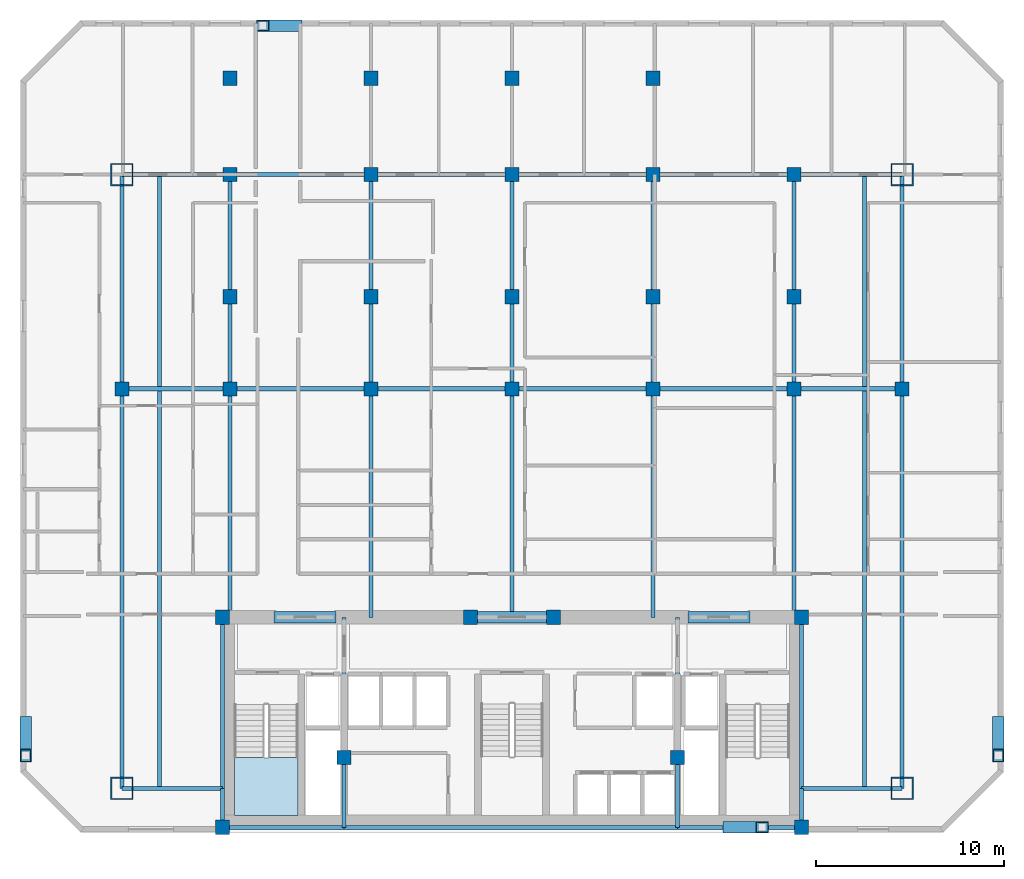
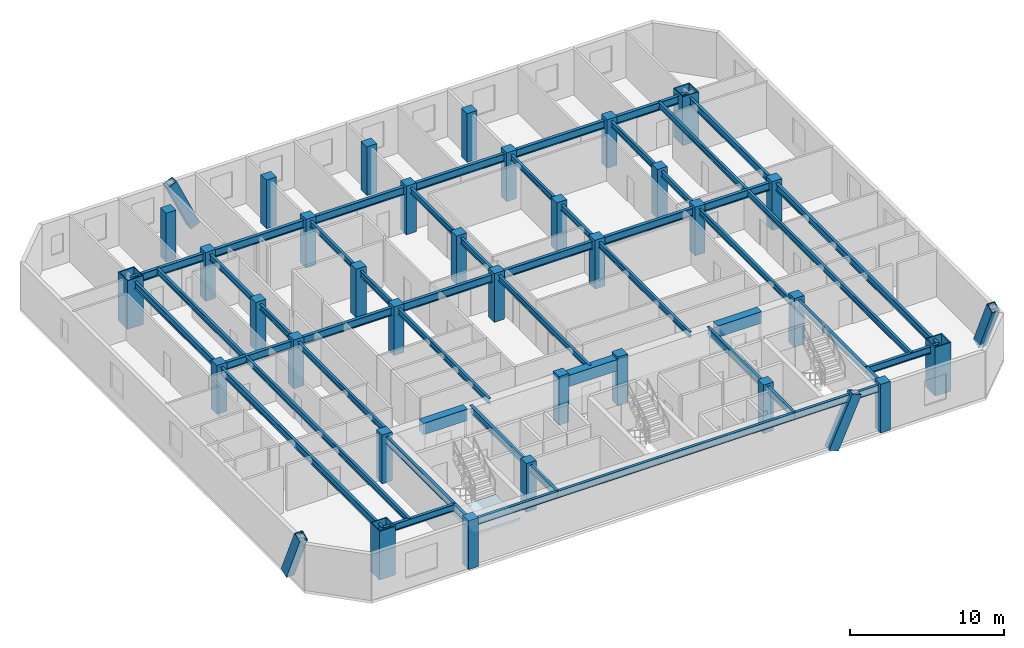
# One storey, part 1 of 8: 46 beams, 33 columns, 4 members, 1 slab, 1 element without a shape of its own.
"""IFC4 building model written with IfcOpenShell, lengths in metres."""

from ifc_helpers import new_model, si_unit, direction, frame, origin, origin_2d, place, context, subcontext, project, spatial, polyline, rectangle, hollow_rectangle, i_section, outline, extrude, material, layer, layer_set, material_profile, profile_set, type_object, element, aggregate, save


model = new_model("IFC4")

# Units and contexts
model_context = context("Model", 3, precision=1e-05, world=origin(), true_north=direction((0.0, 1.0)))
body_context = subcontext(model_context, "Body", "Model", "MODEL_VIEW")
ifc_project = project(units=[si_unit("LENGTHUNIT", "METRE"), si_unit("AREAUNIT", "SQUARE_METRE"), si_unit("VOLUMEUNIT", "CUBIC_METRE"), si_unit("PLANEANGLEUNIT", "RADIAN"), si_unit("MASSUNIT", "GRAM", prefix="KILO")], contexts=[model_context])

# Site, building, storey
site_placement = place(None, origin())
site = spatial("IfcSite", under=ifc_project, at=site_placement, CompositionType="ELEMENT")
building_placement = place(site_placement, origin())
building = spatial("IfcBuilding", under=site, at=building_placement, Name="Ventersveld Concourse Tower", CompositionType="ELEMENT")
storey_placement = place(building_placement, frame((0.0, 0.0, 149.050048828125)))
storey = spatial("IfcBuildingStorey", under=building, at=storey_placement, Name="L36", CompositionType="ELEMENT", Elevation=149.050048828125)

# Columns
ifc_material_1 = material(Name="Concrete C50/60", Category="concrete")
ifc_material_profile_1 = material_profile(ifc_material_1, rectangle(XDim=0.75, YDim=0.75, at=origin_2d()), Name="RC 750x750")
ifc_profile_set_1 = profile_set([ifc_material_profile_1], Name="Concrete C50/60")
column_type_1 = type_object("IfcColumnType", Name="COL-RC750", PredefinedType="COLUMN", material=ifc_profile_set_1)
for number, where, z_axis, x_axis, name in (
    (1, (13.35009765625, 0.280029296875, 0.0), (0.0, 0.0, 1.0), (1.0, 0.0, 0.0), "L36 Core Spine Column CC-SW"),
    (2, (44.14990234375, 0.280029296875, 0.0), (0.0, 0.0, 1.0), (1.0, 0.0, 0.0), "L36 Core Spine Column CC-SE"),
    (3, (13.35009765625, 11.449951171875, 0.0), (0.0, 0.0, 1.0), (1.0, 0.0, 0.0), "L36 Core Spine Column CC-NW"),
    (4, (44.14990234375, 11.449951171875, 0.0), (0.0, 0.0, 1.0), (1.0, 0.0, 0.0), "L36 Core Spine Column CC-NE"),
    (5, (19.820068359375, 4.0, 0.0), (0.0, 0.0, 1.0), (1.0, 0.0, 0.0), "L36 Core Spine Column CM-1"),
    (6, (37.550048828125, 4.0, 0.0), (0.0, 0.0, 1.0), (1.0, 0.0, 0.0), "L36 Core Spine Column CM-2"),
    (7, (26.550048828125, 11.449951171875, 0.0), (0.0, 0.0, 1.0), (1.0, 0.0, 0.0), "L36 Core Spine Column CM-3"),
    (8, (30.949951171875, 11.449951171875, 0.0), (0.0, 0.0, 1.0), (1.0, 0.0, 0.0), "L36 Core Spine Column CM-4"),
    (9, (8.0, 23.60009765625, 0.0), (0.0, 0.0, 1.0), (1.0, 0.0, 0.0), "L36 Interior Gravity Column X=8.00 Y=23.60"),
    (10, (13.75, 23.60009765625, 0.0), (0.0, 0.0, 1.0), (1.0, 0.0, 0.0), "L36 Interior Gravity Column X=13.75 Y=23.60"),
    (11, (21.25, 23.60009765625, 0.0), (0.0, 0.0, 1.0), (1.0, 0.0, 0.0), "L36 Interior Gravity Column X=21.25 Y=23.60"),
    (12, (28.75, 23.60009765625, 0.0), (0.0, 0.0, 1.0), (1.0, 0.0, 0.0), "L36 Interior Gravity Column X=28.75 Y=23.60"),
    (13, (36.25, 23.60009765625, 0.0), (0.0, 0.0, 1.0), (1.0, 0.0, 0.0), "L36 Interior Gravity Column X=36.25 Y=23.60"),
    (14, (43.75, 23.60009765625, 0.0), (0.0, 0.0, 1.0), (1.0, 0.0, 0.0), "L36 Interior Gravity Column X=43.75 Y=23.60"),
    (15, (49.5, 23.60009765625, 0.0), (0.0, 0.0, 1.0), (1.0, 0.0, 0.0), "L36 Interior Gravity Column X=49.50 Y=23.60"),
    (16, (13.75, 28.5, 0.0), (0.0, 0.0, 1.0), (1.0, 0.0, 0.0), "L36 Upper-North Gravity Column X=13.75 Y=28.50"),
    (17, (21.25, 28.5, 0.0), (0.0, 0.0, 1.0), (1.0, 0.0, 0.0), "L36 Upper-North Gravity Column X=21.25 Y=28.50"),
    (18, (28.75, 28.5, 0.0), (0.0, 0.0, 1.0), (1.0, 0.0, 0.0), "L36 Upper-North Gravity Column X=28.75 Y=28.50"),
    (19, (36.25, 28.5, 0.0), (0.0, 0.0, 1.0), (1.0, 0.0, 0.0), "L36 Upper-North Gravity Column X=36.25 Y=28.50"),
    (20, (43.75, 28.5, 0.0), (0.0, 0.0, 1.0), (1.0, 0.0, 0.0), "L36 Upper-North Gravity Column X=43.75 Y=28.50"),
    (21, (13.75, 40.1201171875, 0.0), (0.0, 0.0, 1.0), (1.0, 0.0, 0.0), "L36 North Brace Node Column X=13.75 Y=40.12"),
    (22, (21.25, 40.1201171875, 0.0), (0.0, 0.0, 1.0), (1.0, 0.0, 0.0), "L36 North Brace Node Column X=21.25 Y=40.12"),
    (23, (28.75, 40.1201171875, 0.0), (0.0, 0.0, 1.0), (1.0, 0.0, 0.0), "L36 North Brace Node Column X=28.75 Y=40.12"),
    (24, (36.25, 40.1201171875, 0.0), (0.0, 0.0, 1.0), (1.0, 0.0, 0.0), "L36 North Brace Node Column X=36.25 Y=40.12"),
    (25, (13.75, 35.0, 0.0), (0.0, 0.0, 1.0), (1.0, 0.0, 0.0), "L36 Mid-North Column X=13.75 Y=35.00"),
    (26, (21.25, 35.0, 0.0), (0.0, 0.0, 1.0), (1.0, 0.0, 0.0), "L36 Mid-North Column X=21.25 Y=35.00"),
    (27, (28.75, 35.0, 0.0), (0.0, 0.0, 1.0), (1.0, 0.0, 0.0), "L36 Mid-North Column X=28.75 Y=35.00"),
    (28, (36.25, 35.0, 0.0), (0.0, 0.0, 1.0), (1.0, 0.0, 0.0), "L36 Mid-North Column X=36.25 Y=35.00"),
    (29, (43.75, 35.0, 0.0), (0.0, 0.0, 1.0), (1.0, 0.0, 0.0), "L36 Mid-North Column X=43.75 Y=35.00"),
):
    element("IfcColumn", number, at=place(storey_placement, frame(where, z_axis=z_axis, x_axis=x_axis)), inside=storey, type_object=column_type_1, Name=name, PredefinedType="COLUMN", context=body_context, shape_type="SweptSolid", body=[
        extrude(rectangle(XDim=0.75, YDim=0.75, at=origin_2d()), origin(), (0.0, 0.0, 1.0), 3.849853515625),
    ])
ifc_material_2 = material(Name="Structural steel S460ML", Category="steel")
ifc_material_profile_2 = material_profile(ifc_material_2, hollow_rectangle(XDim=1.199951171875, YDim=1.199951171875, WallThickness=0.070068359375, at=origin_2d()), Name="BOX 1200x1200x70")
ifc_profile_set_2 = profile_set([ifc_material_profile_2], Name="Structural steel S460ML")
column_type_2 = type_object("IfcColumnType", Name="MC-1200", PredefinedType="USERDEFINED", material=ifc_profile_set_2)
for number, where, z_axis, x_axis, name in (
    (30, (8.0, 2.35009765625, 0.0), (0.0, 0.0, 1.0), (1.0, 0.0, 0.0), "L36 Corner Mega-Column MC-SW"),
    (31, (49.5, 2.35009765625, 0.0), (0.0, 0.0, 1.0), (1.0, 0.0, 0.0), "L36 Corner Mega-Column MC-SE"),
    (32, (49.5, 35.0, 0.0), (0.0, 0.0, 1.0), (1.0, 0.0, 0.0), "L36 Corner Mega-Column MC-NE"),
    (33, (8.0, 35.0, 0.0), (0.0, 0.0, 1.0), (1.0, 0.0, 0.0), "L36 Corner Mega-Column MC-NW"),
):
    element("IfcColumn", number, at=place(storey_placement, frame(where, z_axis=z_axis, x_axis=x_axis)), inside=storey, type_object=column_type_2, Name=name, ObjectType="MEGA_COLUMN", PredefinedType="USERDEFINED", context=body_context, shape_type="SweptSolid", body=[
        extrude(hollow_rectangle(XDim=1.199951171875, YDim=1.199951171875, WallThickness=0.070068359375, at=origin_2d()), origin(), (0.0, 0.0, 1.0), 3.849853515625),
    ])

# Beams
ifc_material_3 = material(Name="Structural steel S355J2", Category="steel")
ifc_material_profile_3 = material_profile(ifc_material_3, i_section(OverallWidth=0.18994140625, OverallDepth=0.453369140625, WebThickness=0.008544921875, FlangeThickness=0.0126953125, FilletRadius=0.01025390625, at=origin_2d()), Name="UB 457x191x67")
ifc_profile_set_3 = profile_set([ifc_material_profile_3], Name="Structural steel S355J2")
beam_type_1 = type_object("IfcBeamType", Name="BM-UB457", PredefinedType="BEAM", material=ifc_profile_set_3)
beam_1_placement = place(storey_placement, frame((10.0, 2.35009765625, 3.4033203125), z_axis=(0.0, 1.0, 0.0), x_axis=(-1.0, 0.0, 0.0)))
element("IfcBeam", 34, at=beam_1_placement, inside=storey, type_object=beam_type_1, Name="L36 N-S Composite Floor Beam South X=10.00", PredefinedType="BEAM", context=body_context, shape_type="SweptSolid", body=[
    extrude(i_section(OverallWidth=0.18994140625, OverallDepth=0.453369140625, WebThickness=0.008544921875, FlangeThickness=0.0126953125, FilletRadius=0.01025390625, at=origin_2d()), origin(), (0.0, 0.0, 1.0), 21.15478515625),
])
beam_2_placement = place(storey_placement, frame((10.0, 23.695068359375, 3.4033203125), z_axis=(0.0, 1.0, 0.0), x_axis=(-1.0, 0.0, 0.0)))
element("IfcBeam", 35, at=beam_2_placement, inside=storey, type_object=beam_type_1, Name="L36 N-S Composite Floor Beam Mid X=10.00", PredefinedType="BEAM", context=body_context, shape_type="SweptSolid", body=[
    extrude(i_section(OverallWidth=0.18994140625, OverallDepth=0.453369140625, WebThickness=0.008544921875, FlangeThickness=0.0126953125, FilletRadius=0.01025390625, at=origin_2d()), origin(), (0.0, 0.0, 1.0), 11.304931640625),
])
beam_3_placement = place(storey_placement, frame((13.75, 11.449951171875, 3.4033203125), z_axis=(0.0, 1.0, 0.0), x_axis=(-1.0, 0.0, 0.0)))
element("IfcBeam", 36, at=beam_3_placement, inside=storey, type_object=beam_type_1, Name="L36 N-S Composite Floor Beam South X=13.75", PredefinedType="BEAM", context=body_context, shape_type="SweptSolid", body=[
    extrude(i_section(OverallWidth=0.18994140625, OverallDepth=0.453369140625, WebThickness=0.008544921875, FlangeThickness=0.0126953125, FilletRadius=0.01025390625, at=origin_2d()), origin(), (0.0, 0.0, 1.0), 12.150146484375),
])
beam_4_placement = place(storey_placement, frame((13.75, 23.60009765625, 3.4033203125), z_axis=(0.0, 1.0, 0.0), x_axis=(-1.0, 0.0, 0.0)))
element("IfcBeam", 37, at=beam_4_placement, inside=storey, type_object=beam_type_1, Name="L36 N-S Composite Floor Beam Mid X=13.75", PredefinedType="BEAM", context=body_context, shape_type="SweptSolid", body=[
    extrude(i_section(OverallWidth=0.18994140625, OverallDepth=0.453369140625, WebThickness=0.008544921875, FlangeThickness=0.0126953125, FilletRadius=0.01025390625, at=origin_2d()), origin(), (0.0, 0.0, 1.0), 11.39990234375),
])
beam_5_placement = place(storey_placement, frame((21.25, 11.449951171875, 3.4033203125), z_axis=(0.0, 1.0, 0.0), x_axis=(-1.0, 0.0, 0.0)))
element("IfcBeam", 38, at=beam_5_placement, inside=storey, type_object=beam_type_1, Name="L36 N-S Composite Floor Beam South X=21.25", PredefinedType="BEAM", context=body_context, shape_type="SweptSolid", body=[
    extrude(i_section(OverallWidth=0.18994140625, OverallDepth=0.453369140625, WebThickness=0.008544921875, FlangeThickness=0.0126953125, FilletRadius=0.01025390625, at=origin_2d()), origin(), (0.0, 0.0, 1.0), 12.150146484375),
])
beam_6_placement = place(storey_placement, frame((21.25, 23.60009765625, 3.4033203125), z_axis=(0.0, 1.0, 0.0), x_axis=(-1.0, 0.0, 0.0)))
element("IfcBeam", 39, at=beam_6_placement, inside=storey, type_object=beam_type_1, Name="L36 N-S Composite Floor Beam Mid X=21.25", PredefinedType="BEAM", context=body_context, shape_type="SweptSolid", body=[
    extrude(i_section(OverallWidth=0.18994140625, OverallDepth=0.453369140625, WebThickness=0.008544921875, FlangeThickness=0.0126953125, FilletRadius=0.01025390625, at=origin_2d()), origin(), (0.0, 0.0, 1.0), 11.39990234375),
])
beam_7_placement = place(storey_placement, frame((28.75, 11.449951171875, 3.4033203125), z_axis=(0.0, 1.0, 0.0), x_axis=(-1.0, 0.0, 0.0)))
element("IfcBeam", 40, at=beam_7_placement, inside=storey, type_object=beam_type_1, Name="L36 N-S Composite Floor Beam South X=28.75", PredefinedType="BEAM", context=body_context, shape_type="SweptSolid", body=[
    extrude(i_section(OverallWidth=0.18994140625, OverallDepth=0.453369140625, WebThickness=0.008544921875, FlangeThickness=0.0126953125, FilletRadius=0.01025390625, at=origin_2d()), origin(), (0.0, 0.0, 1.0), 12.150146484375),
])
beam_8_placement = place(storey_placement, frame((28.75, 23.60009765625, 3.4033203125), z_axis=(0.0, 1.0, 0.0), x_axis=(-1.0, 0.0, 0.0)))
element("IfcBeam", 41, at=beam_8_placement, inside=storey, type_object=beam_type_1, Name="L36 N-S Composite Floor Beam Mid X=28.75", PredefinedType="BEAM", context=body_context, shape_type="SweptSolid", body=[
    extrude(i_section(OverallWidth=0.18994140625, OverallDepth=0.453369140625, WebThickness=0.008544921875, FlangeThickness=0.0126953125, FilletRadius=0.01025390625, at=origin_2d()), origin(), (0.0, 0.0, 1.0), 11.39990234375),
])
beam_9_placement = place(storey_placement, frame((36.25, 11.449951171875, 3.4033203125), z_axis=(0.0, 1.0, 0.0), x_axis=(-1.0, 0.0, 0.0)))
element("IfcBeam", 42, at=beam_9_placement, inside=storey, type_object=beam_type_1, Name="L36 N-S Composite Floor Beam South X=36.25", PredefinedType="BEAM", context=body_context, shape_type="SweptSolid", body=[
    extrude(i_section(OverallWidth=0.18994140625, OverallDepth=0.453369140625, WebThickness=0.008544921875, FlangeThickness=0.0126953125, FilletRadius=0.01025390625, at=origin_2d()), origin(), (0.0, 0.0, 1.0), 12.150146484375),
])
beam_10_placement = place(storey_placement, frame((36.25, 23.60009765625, 3.4033203125), z_axis=(0.0, 1.0, 0.0), x_axis=(-1.0, 0.0, 0.0)))
element("IfcBeam", 43, at=beam_10_placement, inside=storey, type_object=beam_type_1, Name="L36 N-S Composite Floor Beam Mid X=36.25", PredefinedType="BEAM", context=body_context, shape_type="SweptSolid", body=[
    extrude(i_section(OverallWidth=0.18994140625, OverallDepth=0.453369140625, WebThickness=0.008544921875, FlangeThickness=0.0126953125, FilletRadius=0.01025390625, at=origin_2d()), origin(), (0.0, 0.0, 1.0), 11.39990234375),
])
beam_11_placement = place(storey_placement, frame((43.75, 11.449951171875, 3.4033203125), z_axis=(0.0, 1.0, 0.0), x_axis=(-1.0, 0.0, 0.0)))
element("IfcBeam", 44, at=beam_11_placement, inside=storey, type_object=beam_type_1, Name="L36 N-S Composite Floor Beam South X=43.75", PredefinedType="BEAM", context=body_context, shape_type="SweptSolid", body=[
    extrude(i_section(OverallWidth=0.18994140625, OverallDepth=0.453369140625, WebThickness=0.008544921875, FlangeThickness=0.0126953125, FilletRadius=0.01025390625, at=origin_2d()), origin(), (0.0, 0.0, 1.0), 12.150146484375),
])
beam_12_placement = place(storey_placement, frame((43.75, 23.60009765625, 3.4033203125), z_axis=(0.0, 1.0, 0.0), x_axis=(-1.0, 0.0, 0.0)))
element("IfcBeam", 45, at=beam_12_placement, inside=storey, type_object=beam_type_1, Name="L36 N-S Composite Floor Beam Mid X=43.75", PredefinedType="BEAM", context=body_context, shape_type="SweptSolid", body=[
    extrude(i_section(OverallWidth=0.18994140625, OverallDepth=0.453369140625, WebThickness=0.008544921875, FlangeThickness=0.0126953125, FilletRadius=0.01025390625, at=origin_2d()), origin(), (0.0, 0.0, 1.0), 11.39990234375),
])
beam_13_placement = place(storey_placement, frame((47.5, 2.35009765625, 3.4033203125), z_axis=(0.0, 1.0, 0.0), x_axis=(-1.0, 0.0, 0.0)))
element("IfcBeam", 46, at=beam_13_placement, inside=storey, type_object=beam_type_1, Name="L36 N-S Composite Floor Beam South X=47.50", PredefinedType="BEAM", context=body_context, shape_type="SweptSolid", body=[
    extrude(i_section(OverallWidth=0.18994140625, OverallDepth=0.453369140625, WebThickness=0.008544921875, FlangeThickness=0.0126953125, FilletRadius=0.01025390625, at=origin_2d()), origin(), (0.0, 0.0, 1.0), 21.15478515625),
])
beam_14_placement = place(storey_placement, frame((47.5, 23.695068359375, 3.4033203125), z_axis=(0.0, 1.0, 0.0), x_axis=(-1.0, 0.0, 0.0)))
element("IfcBeam", 47, at=beam_14_placement, inside=storey, type_object=beam_type_1, Name="L36 N-S Composite Floor Beam Mid X=47.50", PredefinedType="BEAM", context=body_context, shape_type="SweptSolid", body=[
    extrude(i_section(OverallWidth=0.18994140625, OverallDepth=0.453369140625, WebThickness=0.008544921875, FlangeThickness=0.0126953125, FilletRadius=0.01025390625, at=origin_2d()), origin(), (0.0, 0.0, 1.0), 11.304931640625),
])
ifc_material_4 = material(Name="Concrete C60/75", Category="concrete")
ifc_material_profile_4 = material_profile(ifc_material_4, rectangle(XDim=0.60009765625, YDim=0.89990234375, at=origin_2d()), Name="RC 600x900")
ifc_profile_set_4 = profile_set([ifc_material_profile_4], Name="Concrete C60/75")
beam_type_2 = type_object("IfcBeamType", Name="CB-RC600x900L", PredefinedType="LINTEL", material=ifc_profile_set_4)
beam_15_placement = place(storey_placement, frame((16.10009765625, 11.449951171875, 3.179931640625), z_axis=(1.0, 0.0, 0.0), x_axis=(0.0, 1.0, 0.0)))
element("IfcBeam", 48, at=beam_15_placement, inside=storey, type_object=beam_type_2, Name="L36 Core Coupling Lintel Beam 1", PredefinedType="LINTEL", context=body_context, shape_type="SweptSolid", body=[
    extrude(rectangle(XDim=0.60009765625, YDim=0.89990234375, at=origin_2d()), origin(), (0.0, 0.0, 1.0), 3.2998046875),
])
beam_16_placement = place(storey_placement, frame((26.5, 11.449951171875, 3.179931640625), z_axis=(1.0, 0.0, 0.0), x_axis=(0.0, 1.0, 0.0)))
element("IfcBeam", 49, at=beam_16_placement, inside=storey, type_object=beam_type_2, Name="L36 Core Coupling Lintel Beam 2", PredefinedType="LINTEL", context=body_context, shape_type="SweptSolid", body=[
    extrude(rectangle(XDim=0.60009765625, YDim=0.89990234375, at=origin_2d()), origin(), (0.0, 0.0, 1.0), 4.5),
])
beam_17_placement = place(storey_placement, frame((38.10009765625, 11.449951171875, 3.179931640625), z_axis=(1.0, 0.0, 0.0), x_axis=(0.0, 1.0, 0.0)))
element("IfcBeam", 50, at=beam_17_placement, inside=storey, type_object=beam_type_2, Name="L36 Core Coupling Lintel Beam 3", PredefinedType="LINTEL", context=body_context, shape_type="SweptSolid", body=[
    extrude(rectangle(XDim=0.60009765625, YDim=0.89990234375, at=origin_2d()), origin(), (0.0, 0.0, 1.0), 3.2998046875),
])
ifc_material_profile_5 = material_profile(ifc_material_3, i_section(OverallWidth=0.2119140625, OverallDepth=0.54443359375, WebThickness=0.0126953125, FlangeThickness=0.021240234375, FilletRadius=0.0126953125, at=origin_2d()), Name="UB 533x210x122")
ifc_profile_set_5 = profile_set([ifc_material_profile_5], Name="Structural steel S355J2")
beam_type_3 = type_object("IfcBeamType", Name="GRD-UB533H", PredefinedType="T_BEAM", material=ifc_profile_set_5)
beam_18_placement = place(storey_placement, frame((13.35009765625, 0.280029296875, 3.357666015625), z_axis=(0.0, 1.0, 0.0), x_axis=(-1.0, 0.0, 0.0)))
element("IfcBeam", 51, at=beam_18_placement, inside=storey, type_object=beam_type_3, Name="L36 Core West Tie Beam S", PredefinedType="T_BEAM", context=body_context, shape_type="SweptSolid", body=[
    extrude(i_section(OverallWidth=0.2119140625, OverallDepth=0.54443359375, WebThickness=0.0126953125, FlangeThickness=0.021240234375, FilletRadius=0.0126953125, at=origin_2d()), origin(), (0.0, 0.0, 1.0), 2.070068359375),
])
beam_19_placement = place(storey_placement, frame((13.35009765625, 2.35009765625, 3.357666015625), z_axis=(0.0, 1.0, 0.0), x_axis=(-1.0, 0.0, 0.0)))
element("IfcBeam", 52, at=beam_19_placement, inside=storey, type_object=beam_type_3, Name="L36 Core West Tie Beam N", PredefinedType="T_BEAM", context=body_context, shape_type="SweptSolid", body=[
    extrude(i_section(OverallWidth=0.2119140625, OverallDepth=0.54443359375, WebThickness=0.0126953125, FlangeThickness=0.021240234375, FilletRadius=0.0126953125, at=origin_2d()), origin(), (0.0, 0.0, 1.0), 9.099853515625),
])
beam_20_placement = place(storey_placement, frame((44.14990234375, 0.280029296875, 3.357666015625), z_axis=(0.0, 1.0, 0.0), x_axis=(-1.0, 0.0, 0.0)))
element("IfcBeam", 53, at=beam_20_placement, inside=storey, type_object=beam_type_3, Name="L36 Core East Tie Beam S", PredefinedType="T_BEAM", context=body_context, shape_type="SweptSolid", body=[
    extrude(i_section(OverallWidth=0.2119140625, OverallDepth=0.54443359375, WebThickness=0.0126953125, FlangeThickness=0.021240234375, FilletRadius=0.0126953125, at=origin_2d()), origin(), (0.0, 0.0, 1.0), 2.070068359375),
])
beam_21_placement = place(storey_placement, frame((44.14990234375, 2.35009765625, 3.357666015625), z_axis=(0.0, 1.0, 0.0), x_axis=(-1.0, 0.0, 0.0)))
element("IfcBeam", 54, at=beam_21_placement, inside=storey, type_object=beam_type_3, Name="L36 Core East Tie Beam N", PredefinedType="T_BEAM", context=body_context, shape_type="SweptSolid", body=[
    extrude(i_section(OverallWidth=0.2119140625, OverallDepth=0.54443359375, WebThickness=0.0126953125, FlangeThickness=0.021240234375, FilletRadius=0.0126953125, at=origin_2d()), origin(), (0.0, 0.0, 1.0), 9.099853515625),
])
beam_22_placement = place(storey_placement, frame((13.35009765625, 0.280029296875, 3.357666015625), z_axis=(1.0, 0.0, 0.0), x_axis=(0.0, 1.0, 0.0)))
element("IfcBeam", 55, at=beam_22_placement, inside=storey, type_object=beam_type_3, Name="L36 Core South Tie Beam W", PredefinedType="T_BEAM", context=body_context, shape_type="SweptSolid", body=[
    extrude(i_section(OverallWidth=0.2119140625, OverallDepth=0.54443359375, WebThickness=0.0126953125, FlangeThickness=0.021240234375, FilletRadius=0.0126953125, at=origin_2d()), origin(), (0.0, 0.0, 1.0), 6.469970703125),
])
beam_23_placement = place(storey_placement, frame((19.820068359375, 0.280029296875, 3.357666015625), z_axis=(1.0, 0.0, 0.0), x_axis=(0.0, 1.0, 0.0)))
element("IfcBeam", 56, at=beam_23_placement, inside=storey, type_object=beam_type_3, Name="L36 Core South Tie Beam C", PredefinedType="T_BEAM", context=body_context, shape_type="SweptSolid", body=[
    extrude(i_section(OverallWidth=0.2119140625, OverallDepth=0.54443359375, WebThickness=0.0126953125, FlangeThickness=0.021240234375, FilletRadius=0.0126953125, at=origin_2d()), origin(), (0.0, 0.0, 1.0), 17.72998046875),
])
beam_24_placement = place(storey_placement, frame((37.550048828125, 0.280029296875, 3.357666015625), z_axis=(1.0, 0.0, 0.0), x_axis=(0.0, 1.0, 0.0)))
element("IfcBeam", 57, at=beam_24_placement, inside=storey, type_object=beam_type_3, Name="L36 Core South Tie Beam E", PredefinedType="T_BEAM", context=body_context, shape_type="SweptSolid", body=[
    extrude(i_section(OverallWidth=0.2119140625, OverallDepth=0.54443359375, WebThickness=0.0126953125, FlangeThickness=0.021240234375, FilletRadius=0.0126953125, at=origin_2d()), origin(), (0.0, 0.0, 1.0), 6.599853515625),
])
beam_25_placement = place(storey_placement, frame((19.820068359375, 0.280029296875, 3.357666015625), z_axis=(0.0, 1.0, 0.0), x_axis=(-1.0, 0.0, 0.0)))
element("IfcBeam", 58, at=beam_25_placement, inside=storey, type_object=beam_type_3, Name="L36 Core Spine N-S Tie Beam W1", PredefinedType="T_BEAM", context=body_context, shape_type="SweptSolid", body=[
    extrude(i_section(OverallWidth=0.2119140625, OverallDepth=0.54443359375, WebThickness=0.0126953125, FlangeThickness=0.021240234375, FilletRadius=0.0126953125, at=origin_2d()), origin(), (0.0, 0.0, 1.0), 3.719970703125),
])
beam_26_placement = place(storey_placement, frame((19.820068359375, 4.0, 3.357666015625), z_axis=(0.0, 1.0, 0.0), x_axis=(-1.0, 0.0, 0.0)))
element("IfcBeam", 59, at=beam_26_placement, inside=storey, type_object=beam_type_3, Name="L36 Core Spine N-S Tie Beam W2", PredefinedType="T_BEAM", context=body_context, shape_type="SweptSolid", body=[
    extrude(i_section(OverallWidth=0.2119140625, OverallDepth=0.54443359375, WebThickness=0.0126953125, FlangeThickness=0.021240234375, FilletRadius=0.0126953125, at=origin_2d()), origin(), (0.0, 0.0, 1.0), 7.449951171875),
])
beam_27_placement = place(storey_placement, frame((37.550048828125, 0.280029296875, 3.357666015625), z_axis=(0.0, 1.0, 0.0), x_axis=(-1.0, 0.0, 0.0)))
element("IfcBeam", 60, at=beam_27_placement, inside=storey, type_object=beam_type_3, Name="L36 Core Spine N-S Tie Beam E1", PredefinedType="T_BEAM", context=body_context, shape_type="SweptSolid", body=[
    extrude(i_section(OverallWidth=0.2119140625, OverallDepth=0.54443359375, WebThickness=0.0126953125, FlangeThickness=0.021240234375, FilletRadius=0.0126953125, at=origin_2d()), origin(), (0.0, 0.0, 1.0), 3.719970703125),
])
beam_28_placement = place(storey_placement, frame((37.550048828125, 4.0, 3.357666015625), z_axis=(0.0, 1.0, 0.0), x_axis=(-1.0, 0.0, 0.0)))
element("IfcBeam", 61, at=beam_28_placement, inside=storey, type_object=beam_type_3, Name="L36 Core Spine N-S Tie Beam E2", PredefinedType="T_BEAM", context=body_context, shape_type="SweptSolid", body=[
    extrude(i_section(OverallWidth=0.2119140625, OverallDepth=0.54443359375, WebThickness=0.0126953125, FlangeThickness=0.021240234375, FilletRadius=0.0126953125, at=origin_2d()), origin(), (0.0, 0.0, 1.0), 7.449951171875),
])
ifc_material_profile_6 = material_profile(ifc_material_3, i_section(OverallWidth=0.230224609375, OverallDepth=0.6171875, WebThickness=0.01318359375, FlangeThickness=0.022216796875, FilletRadius=0.0126953125, at=origin_2d()), Name="UB 610x229x140")
ifc_profile_set_6 = profile_set([ifc_material_profile_6], Name="Structural steel S355J2")
beam_type_4 = type_object("IfcBeamType", Name="GRD-UB610", PredefinedType="USERDEFINED", material=ifc_profile_set_6)
beam_29_placement = place(storey_placement, frame((8.0, 23.60009765625, 3.3212890625), z_axis=(1.0, 0.0, 0.0), x_axis=(0.0, 1.0, 0.0)))
element("IfcBeam", 62, at=beam_29_placement, inside=storey, type_object=beam_type_4, Name="L36 Primary E-W Grid Girder Y=23.60 #1", ObjectType="GIRDER", PredefinedType="USERDEFINED", context=body_context, shape_type="SweptSolid", body=[
    extrude(i_section(OverallWidth=0.230224609375, OverallDepth=0.6171875, WebThickness=0.01318359375, FlangeThickness=0.022216796875, FilletRadius=0.0126953125, at=origin_2d()), origin(), (0.0, 0.0, 1.0), 5.75),
])
for number, where, z_axis, x_axis, name in (
    (63, (13.75, 23.60009765625, 3.3212890625), (1.0, 0.0, 0.0), (0.0, 1.0, 0.0), "L36 Primary E-W Grid Girder Y=23.60 #2"),
    (64, (21.25, 23.60009765625, 3.3212890625), (1.0, 0.0, 0.0), (0.0, 1.0, 0.0), "L36 Primary E-W Grid Girder Y=23.60 #3"),
    (65, (28.75, 23.60009765625, 3.3212890625), (1.0, 0.0, 0.0), (0.0, 1.0, 0.0), "L36 Primary E-W Grid Girder Y=23.60 #4"),
    (66, (36.25, 23.60009765625, 3.3212890625), (1.0, 0.0, 0.0), (0.0, 1.0, 0.0), "L36 Primary E-W Grid Girder Y=23.60 #5"),
):
    element("IfcBeam", number, at=place(storey_placement, frame(where, z_axis=z_axis, x_axis=x_axis)), inside=storey, type_object=beam_type_4, Name=name, ObjectType="GIRDER", PredefinedType="USERDEFINED", context=body_context, shape_type="SweptSolid", body=[
        extrude(i_section(OverallWidth=0.230224609375, OverallDepth=0.6171875, WebThickness=0.01318359375, FlangeThickness=0.022216796875, FilletRadius=0.0126953125, at=origin_2d()), origin(), (0.0, 0.0, 1.0), 7.5),
    ])
for number, where, z_axis, x_axis, name in (
    (67, (43.75, 23.60009765625, 3.3212890625), (1.0, 0.0, 0.0), (0.0, 1.0, 0.0), "L36 Primary E-W Grid Girder Y=23.60 #6"),
    (68, (8.0, 35.0, 3.3212890625), (1.0, 0.0, 0.0), (0.0, 1.0, 0.0), "L36 E-W Grid Girder Y=35.00 #1"),
):
    element("IfcBeam", number, at=place(storey_placement, frame(where, z_axis=z_axis, x_axis=x_axis)), inside=storey, type_object=beam_type_4, Name=name, ObjectType="GIRDER", PredefinedType="USERDEFINED", context=body_context, shape_type="SweptSolid", body=[
        extrude(i_section(OverallWidth=0.230224609375, OverallDepth=0.6171875, WebThickness=0.01318359375, FlangeThickness=0.022216796875, FilletRadius=0.0126953125, at=origin_2d()), origin(), (0.0, 0.0, 1.0), 5.75),
    ])
for number, where, z_axis, x_axis, name in (
    (69, (13.75, 35.0, 3.3212890625), (1.0, 0.0, 0.0), (0.0, 1.0, 0.0), "L36 E-W Grid Girder Y=35.00 #2"),
    (70, (21.25, 35.0, 3.3212890625), (1.0, 0.0, 0.0), (0.0, 1.0, 0.0), "L36 E-W Grid Girder Y=35.00 #3"),
    (71, (28.75, 35.0, 3.3212890625), (1.0, 0.0, 0.0), (0.0, 1.0, 0.0), "L36 E-W Grid Girder Y=35.00 #4"),
    (72, (36.25, 35.0, 3.3212890625), (1.0, 0.0, 0.0), (0.0, 1.0, 0.0), "L36 E-W Grid Girder Y=35.00 #5"),
):
    element("IfcBeam", number, at=place(storey_placement, frame(where, z_axis=z_axis, x_axis=x_axis)), inside=storey, type_object=beam_type_4, Name=name, ObjectType="GIRDER", PredefinedType="USERDEFINED", context=body_context, shape_type="SweptSolid", body=[
        extrude(i_section(OverallWidth=0.230224609375, OverallDepth=0.6171875, WebThickness=0.01318359375, FlangeThickness=0.022216796875, FilletRadius=0.0126953125, at=origin_2d()), origin(), (0.0, 0.0, 1.0), 7.5),
    ])
beam_30_placement = place(storey_placement, frame((43.75, 35.0, 3.3212890625), z_axis=(1.0, 0.0, 0.0), x_axis=(0.0, 1.0, 0.0)))
element("IfcBeam", 73, at=beam_30_placement, inside=storey, type_object=beam_type_4, Name="L36 E-W Grid Girder Y=35.00 #6", ObjectType="GIRDER", PredefinedType="USERDEFINED", context=body_context, shape_type="SweptSolid", body=[
    extrude(i_section(OverallWidth=0.230224609375, OverallDepth=0.6171875, WebThickness=0.01318359375, FlangeThickness=0.022216796875, FilletRadius=0.0126953125, at=origin_2d()), origin(), (0.0, 0.0, 1.0), 5.75),
])

# Members
ifc_material_5 = material(Name="Structural steel S355ML", Category="steel")
ifc_material_profile_7 = material_profile(ifc_material_5, hollow_rectangle(XDim=0.60009765625, YDim=0.75, WallThickness=0.0400390625, at=origin_2d()), Name="BOX 750x600x40")
ifc_profile_set_7 = profile_set([ifc_material_profile_7], Name="Structural steel S355ML")
member_type = type_object("IfcMemberType", Name="MB-750x600", PredefinedType="BRACE", material=ifc_profile_set_7)
for number, where, z_axis, x_axis, name in (
    (74, (17.22900390625, 42.919921875, -0.219970703125), (-0.411755490853, 0.0, 0.911294362844), (0.0, -1.0, 0.0), "L36 Exterior Mega-Brace N (Module M08)"),
    (75, (40.321044921875, 0.280029296875, -0.219970703125), (0.411755490853, 0.0, 0.911294362844), (0.0, 1.0, 0.0), "L36 Exterior Mega-Brace S (Module M08)"),
    (76, (2.8798828125, 5.828857421875, -0.219970703125), (0.0, -0.411707496803, 0.911316046756), (1.0, 0.0, 0.0), "L36 Exterior Mega-Brace W (Module M08)"),
    (77, (54.6201171875, 5.828857421875, -0.219970703125), (0.0, -0.411707496803, 0.911316046756), (1.0, 0.0, 0.0), "L36 Exterior Mega-Brace E (Module M08)"),
):
    element("IfcMember", number, at=place(storey_placement, frame(where, z_axis=z_axis, x_axis=x_axis)), inside=storey, type_object=member_type, Name=name, PredefinedType="BRACE", context=body_context, shape_type="SweptSolid", body=[
        extrude(hollow_rectangle(XDim=0.60009765625, YDim=0.75, WallThickness=0.0400390625, at=origin_2d()), origin(), (0.0, 0.0, 1.0), 4.224609375),
    ])

# Beams
ifc_material_profile_8 = material_profile(ifc_material_3, i_section(OverallWidth=0.2119140625, OverallDepth=0.54443359375, WebThickness=0.0126953125, FlangeThickness=0.021240234375, FilletRadius=0.0126953125, at=origin_2d()), Name="UB 533x210x122")
ifc_profile_set_8 = profile_set([ifc_material_profile_8], Name="Structural steel S355J2")
beam_type_5 = type_object("IfcBeamType", Name="SPD-UB533", PredefinedType="SPANDREL", material=ifc_profile_set_8)
for number, where, z_axis, x_axis, name in (
    (78, (8.0, 2.35009765625, 3.357666015625), (1.0, 0.0, 0.0), (0.0, 1.0, 0.0), "L36 SW Spandrel Beam"),
    (79, (44.14990234375, 2.35009765625, 3.357666015625), (1.0, 0.0, 0.0), (0.0, 1.0, 0.0), "L36 SE Spandrel Beam"),
):
    element("IfcBeam", number, at=place(storey_placement, frame(where, z_axis=z_axis, x_axis=x_axis)), inside=storey, type_object=beam_type_5, Name=name, PredefinedType="SPANDREL", context=body_context, shape_type="SweptSolid", body=[
        extrude(i_section(OverallWidth=0.2119140625, OverallDepth=0.54443359375, WebThickness=0.0126953125, FlangeThickness=0.021240234375, FilletRadius=0.0126953125, at=origin_2d()), origin(), (0.0, 0.0, 1.0), 5.35009765625),
    ])
beam_31_placement = place(storey_placement, frame((8.0, 2.35009765625, 3.357666015625), z_axis=(0.0, 1.0, 0.0), x_axis=(-1.0, 0.0, 0.0)))
element("IfcBeam", 80, at=beam_31_placement, inside=storey, type_object=beam_type_5, Name="L36 West Spandrel Beam S", PredefinedType="SPANDREL", context=body_context, shape_type="SweptSolid", body=[
    extrude(i_section(OverallWidth=0.2119140625, OverallDepth=0.54443359375, WebThickness=0.0126953125, FlangeThickness=0.021240234375, FilletRadius=0.0126953125, at=origin_2d()), origin(), (0.0, 0.0, 1.0), 21.25),
])
beam_32_placement = place(storey_placement, frame((8.0, 23.60009765625, 3.357666015625), z_axis=(0.0, 1.0, 0.0), x_axis=(-1.0, 0.0, 0.0)))
element("IfcBeam", 81, at=beam_32_placement, inside=storey, type_object=beam_type_5, Name="L36 West Spandrel Beam N", PredefinedType="SPANDREL", context=body_context, shape_type="SweptSolid", body=[
    extrude(i_section(OverallWidth=0.2119140625, OverallDepth=0.54443359375, WebThickness=0.0126953125, FlangeThickness=0.021240234375, FilletRadius=0.0126953125, at=origin_2d()), origin(), (0.0, 0.0, 1.0), 11.39990234375),
])
beam_33_placement = place(storey_placement, frame((49.5, 2.35009765625, 3.357666015625), z_axis=(0.0, 1.0, 0.0), x_axis=(-1.0, 0.0, 0.0)))
element("IfcBeam", 82, at=beam_33_placement, inside=storey, type_object=beam_type_5, Name="L36 East Spandrel Beam S", PredefinedType="SPANDREL", context=body_context, shape_type="SweptSolid", body=[
    extrude(i_section(OverallWidth=0.2119140625, OverallDepth=0.54443359375, WebThickness=0.0126953125, FlangeThickness=0.021240234375, FilletRadius=0.0126953125, at=origin_2d()), origin(), (0.0, 0.0, 1.0), 21.25),
])
beam_34_placement = place(storey_placement, frame((49.5, 23.60009765625, 3.357666015625), z_axis=(0.0, 1.0, 0.0), x_axis=(-1.0, 0.0, 0.0)))
element("IfcBeam", 83, at=beam_34_placement, inside=storey, type_object=beam_type_5, Name="L36 East Spandrel Beam N", PredefinedType="SPANDREL", context=body_context, shape_type="SweptSolid", body=[
    extrude(i_section(OverallWidth=0.2119140625, OverallDepth=0.54443359375, WebThickness=0.0126953125, FlangeThickness=0.021240234375, FilletRadius=0.0126953125, at=origin_2d()), origin(), (0.0, 0.0, 1.0), 11.39990234375),
])

# Stair, slab
stair_type = type_object("IfcStairType", Name="ST-DOG-160", PredefinedType="HALF_TURN_STAIR", material=ifc_material_1)
stair_placement = place(storey_placement, origin())
stair = element("IfcStair", 84, at=stair_placement, inside=storey, type_object=stair_type, Name="L36 Protected Tower Escape Stair ST-01", PredefinedType="HALF_TURN_STAIR")
ifc_layer = layer(ifc_material_1, 0.199951171875)
ifc_layer_set = layer_set([ifc_layer], Name="Concrete C50/60")
slab_type = type_object("IfcSlabType", Name="SL-LND-200", PredefinedType="LANDING", material=ifc_layer_set)
slab_placement = place(storey_placement, frame((0.0, 0.0, 1.724853515625)))
slab = element("IfcSlab", 85, at=slab_placement, type_object=slab_type, Name="ST-01 landing 1", PredefinedType="LANDING", context=body_context, shape_type="SweptSolid", body=[
    extrude(outline(polyline([(13.97998046875, 4.0), (13.97998046875, 0.89990234375), (17.3798828125, 0.89990234375), (17.3798828125, 4.0), (13.97998046875, 4.0)])), origin(), (0.0, 0.0, 1.0), 0.2001953125),
])
aggregate(stair, [slab])

save(model, "model.ifc")
